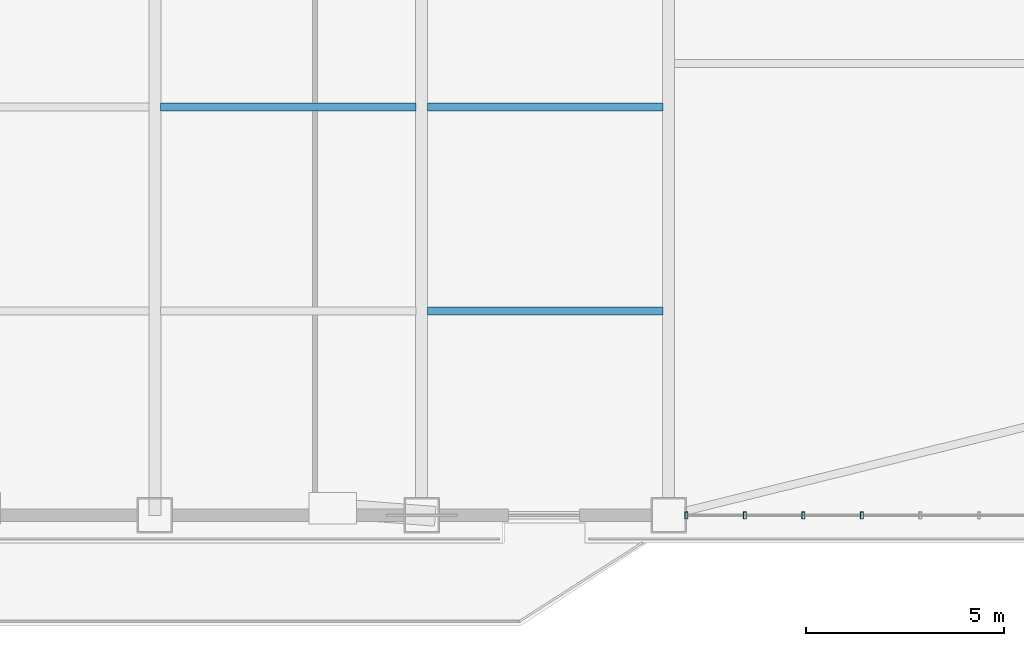
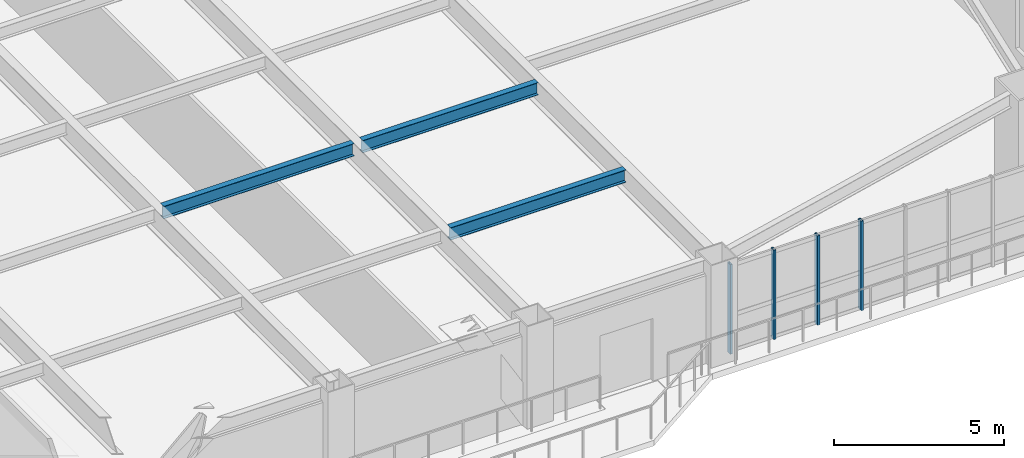
# One storey, part 4 of 15: 4 members, 3 beams, 1 element without a shape of its own.
"""IFC4 building model written with IfcOpenShell, lengths in metres."""

from ifc_helpers import new_model, si_unit, direction, frame, origin, origin_2d, place, context, subcontext, project, spatial, hollow_rectangle, i_section, extrude, source, transform, mapped, material, layer, layer_set, material_profile, profile_set, type_object, element, aggregate, save


model = new_model("IFC4")

# Units and contexts
model_context = context("Model", 3, precision=1e-05, world=origin(), true_north=direction((0.0, 1.0)))
body_context = subcontext(model_context, "Body", "Model", "MODEL_VIEW")
ifc_project = project(units=[si_unit("LENGTHUNIT", "METRE"), si_unit("AREAUNIT", "SQUARE_METRE"), si_unit("VOLUMEUNIT", "CUBIC_METRE"), si_unit("PLANEANGLEUNIT", "RADIAN"), si_unit("MASSUNIT", "GRAM", prefix="KILO")], contexts=[model_context])

# Site, building, storey
site_placement = place(None, origin())
site = spatial("IfcSite", under=ifc_project, at=site_placement, CompositionType="ELEMENT")
building_placement = place(site_placement, origin())
building = spatial("IfcBuilding", under=site, at=building_placement, Name="Giltprow Tower", CompositionType="ELEMENT")
storey_placement = place(building_placement, frame((0.0, 0.0, 99.699951171875)))
storey = spatial("IfcBuildingStorey", under=building, at=storey_placement, Name="L24", CompositionType="ELEMENT", Elevation=99.699951171875)

# Beams
ifc_material_1 = material(Name="Structural steel Q355B", Category="steel")
ifc_material_profile_1 = material_profile(ifc_material_1, i_section(OverallWidth=0.199951171875, OverallDepth=0.449951171875, WebThickness=0.009033203125, FlangeThickness=0.013916015625, at=origin_2d()), Name="HN 450x200x9x14")
ifc_profile_set_1 = profile_set([ifc_material_profile_1], Name="Structural steel Q355B")
beam_type = type_object("IfcBeamType", Name="BM-JOIST-HN450", PredefinedType="JOIST", material=ifc_profile_set_1)
shared_shape_1 = source(origin(), body_context, "Body", "SweptSolid", [
    extrude(i_section(OverallWidth=0.199951171875, OverallDepth=0.449951171875, WebThickness=0.009033203125, FlangeThickness=0.013916015625, at=origin_2d()), origin(), (0.0, 0.0, 1.0), 6.4599609375),
])
beam_placement = place(storey_placement, frame((37.695068359375, 16.791015625, 3.455078125), z_axis=(1.0, 0.0, 0.0), x_axis=(0.0, 1.0, 0.0)))
element("IfcBeam", 1, at=beam_placement, inside=storey, type_object=beam_type, Name="L24 Composite Floor Joist 2-3", PredefinedType="JOIST", context=body_context, shape_type="MappedRepresentation", body=[
    mapped(shared_shape_1, transform((0.0, 0.0, 0.0), x_axis=(1.0, 0.0, 0.0), y_axis=(0.0, 1.0, 0.0), z_axis=(0.0, 0.0, 1.0), scale=1.0)),
])
shared_shape_2 = source(origin(), body_context, "Body", "SweptSolid", [
    extrude(i_section(OverallWidth=0.199951171875, OverallDepth=0.449951171875, WebThickness=0.009033203125, FlangeThickness=0.013916015625, at=origin_2d()), origin(), (0.0, 0.0, 1.0), 5.9599609375),
])
for number, where, z_axis, x_axis, name in (
    (2, (44.445068359375, 11.626953125, 3.455078125), (1.0, 0.0, 0.0), (0.0, 1.0, 0.0), "L24 Composite Floor Joist 1-4"),
    (3, (44.445068359375, 16.791015625, 3.455078125), (1.0, 0.0, 0.0), (0.0, 1.0, 0.0), "L24 Composite Floor Joist 2-4"),
):
    element("IfcBeam", number, at=place(storey_placement, frame(where, z_axis=z_axis, x_axis=x_axis)), inside=storey, type_object=beam_type, Name=name, PredefinedType="JOIST", context=body_context, shape_type="MappedRepresentation", body=[
        mapped(shared_shape_2, transform((0.0, 0.0, 0.0), x_axis=(1.0, 0.0, 0.0), y_axis=(0.0, 1.0, 0.0), z_axis=(0.0, 0.0, 1.0), scale=1.0)),
    ])

# Curtain wall, members
ifc_material_2 = material(Name="Anodized bronze", Category="metal")
ifc_layer = layer(ifc_material_2, 0.179931640625, Name="Anodized bronze")
ifc_layer_set = layer_set([ifc_layer], Name="Anodized bronze")
curtain_wall_type = type_object("IfcCurtainWallType", Name="CW-OFF-RECESSED", PredefinedType="NOTDEFINED", material=ifc_layer_set)
curtain_wall_placement = place(storey_placement, origin())
curtain_wall = element("IfcCurtainWall", 4, at=curtain_wall_placement, inside=storey, type_object=curtain_wall_type, Name="L24 South Recessed Curtain Wall 6", PredefinedType="NOTDEFINED")
ifc_material_profile_2 = material_profile(ifc_material_2, hollow_rectangle(XDim=0.074951171875, YDim=0.179931640625, WallThickness=0.008056640625, at=origin_2d()), Name="RHS 180x75x8")
ifc_profile_set_2 = profile_set([ifc_material_profile_2], Name="Anodized bronze")
member_type = type_object("IfcMemberType", Name="CW-MULLION-180x75", PredefinedType="MULLION", material=ifc_profile_set_2)
shared_shape_3 = source(origin(), body_context, "Body", "SweptSolid", [
    extrude(hollow_rectangle(XDim=0.074951171875, YDim=0.179931640625, WallThickness=0.008056640625, at=origin_2d()), origin(), (0.0, 0.0, 1.0), 3.215087890625),
])
member_1_placement = place(storey_placement, frame((51.0, 6.4619140625, -0.02001953125), z_axis=(0.0, 0.0, 1.0), x_axis=(1.0, 0.0, 0.0)))
member_1 = element("IfcMember", 5, at=member_1_placement, type_object=member_type, Name="L24 South Recessed Curtain Wall 6 Mullion 1", PredefinedType="MULLION", context=body_context, shape_type="MappedRepresentation", body=[
    mapped(shared_shape_3, transform((0.0, 0.0, 0.0), x_axis=(1.0, 0.0, 0.0), y_axis=(0.0, 1.0, 0.0), z_axis=(0.0, 0.0, 1.0), scale=1.0)),
])
member_2_placement = place(storey_placement, frame((52.48095703125, 6.4619140625, -0.02001953125), z_axis=(0.0, 0.0, 1.0), x_axis=(1.0, 0.0, 0.0)))
member_2 = element("IfcMember", 6, at=member_2_placement, type_object=member_type, Name="L24 South Recessed Curtain Wall 6 Mullion 2", PredefinedType="MULLION", context=body_context, shape_type="MappedRepresentation", body=[
    mapped(shared_shape_3, transform((0.0, 0.0, 0.0), x_axis=(1.0, 0.0, 0.0), y_axis=(0.0, 1.0, 0.0), z_axis=(0.0, 0.0, 1.0), scale=1.0)),
])
member_3_placement = place(storey_placement, frame((53.9619140625, 6.4619140625, -0.02001953125), z_axis=(0.0, 0.0, 1.0), x_axis=(1.0, 0.0, 0.0)))
member_3 = element("IfcMember", 7, at=member_3_placement, type_object=member_type, Name="L24 South Recessed Curtain Wall 6 Mullion 3", PredefinedType="MULLION", context=body_context, shape_type="MappedRepresentation", body=[
    mapped(shared_shape_3, transform((0.0, 0.0, 0.0), x_axis=(1.0, 0.0, 0.0), y_axis=(0.0, 1.0, 0.0), z_axis=(0.0, 0.0, 1.0), scale=1.0)),
])
member_4_placement = place(storey_placement, frame((55.443115234375, 6.4619140625, -0.02001953125), z_axis=(0.0, 0.0, 1.0), x_axis=(1.0, 0.0, 0.0)))
member_4 = element("IfcMember", 8, at=member_4_placement, type_object=member_type, Name="L24 South Recessed Curtain Wall 6 Mullion 4", PredefinedType="MULLION", context=body_context, shape_type="MappedRepresentation", body=[
    mapped(shared_shape_3, transform((0.0, 0.0, 0.0), x_axis=(1.0, 0.0, 0.0), y_axis=(0.0, 1.0, 0.0), z_axis=(0.0, 0.0, 1.0), scale=1.0)),
])
aggregate(curtain_wall, [member_1, member_2, member_3, member_4])

save(model, "model.ifc")
